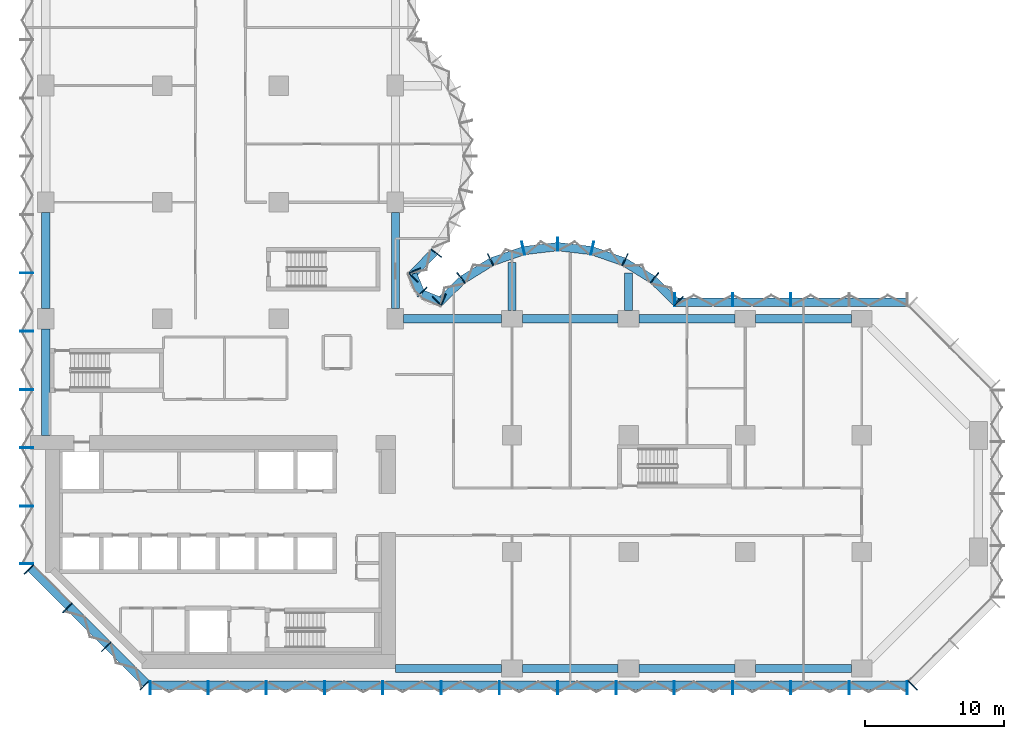
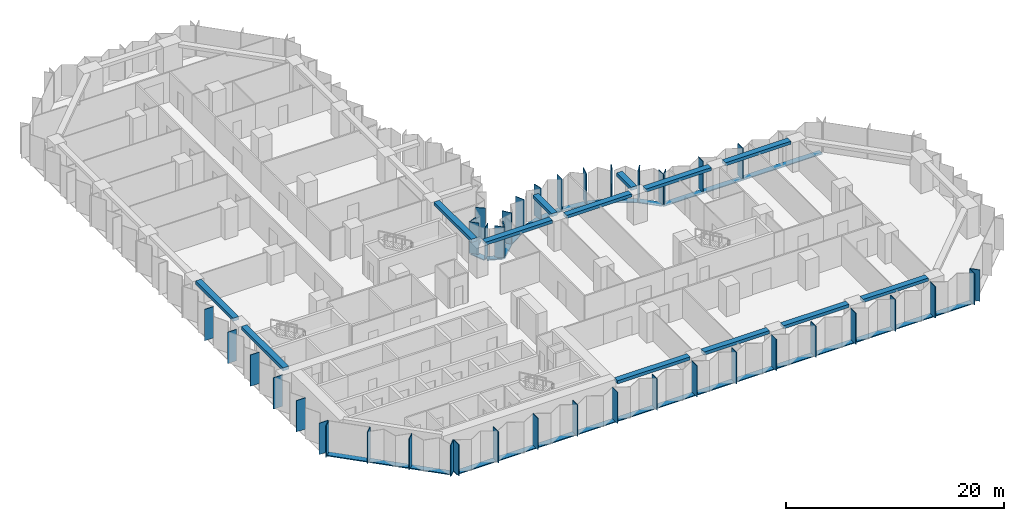
# One storey, part 2 of 15: 56 members, 13 beams, 8 elements without a shape of their own.
"""IFC4 building model written with IfcOpenShell, lengths in metres."""

from ifc_helpers import new_model, si_unit, direction, frame, origin, origin_2d, place, context, subcontext, project, spatial, rectangle, extrude, material, material_profile, profile_set, type_object, element, aggregate, save


model = new_model("IFC4")

# Units and contexts
model_context = context("Model", 3, precision=1e-05, world=origin(), true_north=direction((0.0, 1.0)))
body_context = subcontext(model_context, "Body", "Model", "MODEL_VIEW")
ifc_project = project(units=[si_unit("LENGTHUNIT", "METRE"), si_unit("AREAUNIT", "SQUARE_METRE"), si_unit("VOLUMEUNIT", "CUBIC_METRE"), si_unit("PLANEANGLEUNIT", "RADIAN"), si_unit("MASSUNIT", "GRAM", prefix="KILO")], contexts=[model_context])

# Site, building, storey
site_placement = place(None, origin())
site = spatial("IfcSite", under=ifc_project, at=site_placement, CompositionType="ELEMENT")
building_placement = place(site_placement, origin())
building = spatial("IfcBuilding", under=site, at=building_placement, Name="Brevane Broadcast Tower", CompositionType="ELEMENT")
storey_placement = place(building_placement, frame((0.0, 0.0, 68.89990234375)))
storey = spatial("IfcBuildingStorey", under=building, at=storey_placement, Name="L15", CompositionType="ELEMENT", Elevation=68.89990234375)

# Curtain wall, members
ifc_material_1 = material(Name="Aluminium 6063-T6 bronze anodised", Category="aluminium")
curtain_wall_type = type_object("IfcCurtainWallType", Name="CW-1 curtain wall", PredefinedType="NOTDEFINED", material=ifc_material_1)
curtain_wall_1_placement = place(storey_placement, origin())
curtain_wall_1 = element("IfcCurtainWall", 1, at=curtain_wall_1_placement, inside=storey, type_object=curtain_wall_type, Name="CW-1 typical tilted unit L15 south face", PredefinedType="NOTDEFINED")
ifc_material_profile_1 = material_profile(ifc_material_1, rectangle(XDim=0.949951171875, YDim=0.070068359375, at=origin_2d()), Name="RECT 70x950")
ifc_profile_set_1 = profile_set([ifc_material_profile_1], Name="Aluminium 6063-T6 bronze anodised")
member_type_1 = type_object("IfcMemberType", Name="CW-1 mullion 70x950", PredefinedType="MULLION", material=ifc_profile_set_1)
member_1_placement = place(storey_placement, frame((7.534912109375, -1.375, -0.14990234375), z_axis=(0.0, 0.0, 1.0), x_axis=(0.0, 1.0, 0.0)))
member_1 = element("IfcMember", 2, at=member_1_placement, type_object=member_type_1, Name="CW-1 mullion", PredefinedType="MULLION", context=body_context, shape_type="SweptSolid", body=[
    extrude(rectangle(XDim=0.949951171875, YDim=0.070068359375, at=origin_2d()), origin(), (0.0, 0.0, 1.0), 3.5),
])
member_2_placement = place(storey_placement, frame((11.699951171875, -1.375, -0.14990234375), z_axis=(0.0, 0.0, 1.0), x_axis=(0.0, 1.0, 0.0)))
member_2 = element("IfcMember", 3, at=member_2_placement, type_object=member_type_1, Name="CW-1 mullion", PredefinedType="MULLION", context=body_context, shape_type="SweptSolid", body=[
    extrude(rectangle(XDim=0.949951171875, YDim=0.070068359375, at=origin_2d()), origin(), (0.0, 0.0, 1.0), 3.5),
])
member_3_placement = place(storey_placement, frame((15.89990234375, -1.375, -0.14990234375), z_axis=(0.0, 0.0, 1.0), x_axis=(0.0, 1.0, 0.0)))
member_3 = element("IfcMember", 4, at=member_3_placement, type_object=member_type_1, Name="CW-1 mullion", PredefinedType="MULLION", context=body_context, shape_type="SweptSolid", body=[
    extrude(rectangle(XDim=0.949951171875, YDim=0.070068359375, at=origin_2d()), origin(), (0.0, 0.0, 1.0), 3.5),
])
member_4_placement = place(storey_placement, frame((20.10009765625, -1.375, -0.14990234375), z_axis=(0.0, 0.0, 1.0), x_axis=(0.0, 1.0, 0.0)))
member_4 = element("IfcMember", 5, at=member_4_placement, type_object=member_type_1, Name="CW-1 mullion", PredefinedType="MULLION", context=body_context, shape_type="SweptSolid", body=[
    extrude(rectangle(XDim=0.949951171875, YDim=0.070068359375, at=origin_2d()), origin(), (0.0, 0.0, 1.0), 3.5),
])
member_5_placement = place(storey_placement, frame((24.300048828125, -1.375, -0.14990234375), z_axis=(0.0, 0.0, 1.0), x_axis=(0.0, 1.0, 0.0)))
member_5 = element("IfcMember", 6, at=member_5_placement, type_object=member_type_1, Name="CW-1 mullion", PredefinedType="MULLION", context=body_context, shape_type="SweptSolid", body=[
    extrude(rectangle(XDim=0.949951171875, YDim=0.070068359375, at=origin_2d()), origin(), (0.0, 0.0, 1.0), 3.5),
])
member_6_placement = place(storey_placement, frame((28.5, -1.375, -0.14990234375), z_axis=(0.0, 0.0, 1.0), x_axis=(0.0, 1.0, 0.0)))
member_6 = element("IfcMember", 7, at=member_6_placement, type_object=member_type_1, Name="CW-1 mullion", PredefinedType="MULLION", context=body_context, shape_type="SweptSolid", body=[
    extrude(rectangle(XDim=0.949951171875, YDim=0.070068359375, at=origin_2d()), origin(), (0.0, 0.0, 1.0), 3.5),
])
member_7_placement = place(storey_placement, frame((32.699951171875, -1.375, -0.14990234375), z_axis=(0.0, 0.0, 1.0), x_axis=(0.0, 1.0, 0.0)))
member_7 = element("IfcMember", 8, at=member_7_placement, type_object=member_type_1, Name="CW-1 mullion", PredefinedType="MULLION", context=body_context, shape_type="SweptSolid", body=[
    extrude(rectangle(XDim=0.949951171875, YDim=0.070068359375, at=origin_2d()), origin(), (0.0, 0.0, 1.0), 3.5),
])
member_8_placement = place(storey_placement, frame((36.89990234375, -1.375, -0.14990234375), z_axis=(0.0, 0.0, 1.0), x_axis=(0.0, 1.0, 0.0)))
member_8 = element("IfcMember", 9, at=member_8_placement, type_object=member_type_1, Name="CW-1 mullion", PredefinedType="MULLION", context=body_context, shape_type="SweptSolid", body=[
    extrude(rectangle(XDim=0.949951171875, YDim=0.070068359375, at=origin_2d()), origin(), (0.0, 0.0, 1.0), 3.5),
])
member_9_placement = place(storey_placement, frame((41.10009765625, -1.375, -0.14990234375), z_axis=(0.0, 0.0, 1.0), x_axis=(0.0, 1.0, 0.0)))
member_9 = element("IfcMember", 10, at=member_9_placement, type_object=member_type_1, Name="CW-1 mullion", PredefinedType="MULLION", context=body_context, shape_type="SweptSolid", body=[
    extrude(rectangle(XDim=0.949951171875, YDim=0.070068359375, at=origin_2d()), origin(), (0.0, 0.0, 1.0), 3.5),
])
member_10_placement = place(storey_placement, frame((45.300048828125, -1.375, -0.14990234375), z_axis=(0.0, 0.0, 1.0), x_axis=(0.0, 1.0, 0.0)))
member_10 = element("IfcMember", 11, at=member_10_placement, type_object=member_type_1, Name="CW-1 mullion", PredefinedType="MULLION", context=body_context, shape_type="SweptSolid", body=[
    extrude(rectangle(XDim=0.949951171875, YDim=0.070068359375, at=origin_2d()), origin(), (0.0, 0.0, 1.0), 3.5),
])
member_11_placement = place(storey_placement, frame((49.5, -1.375, -0.14990234375), z_axis=(0.0, 0.0, 1.0), x_axis=(0.0, 1.0, 0.0)))
member_11 = element("IfcMember", 12, at=member_11_placement, type_object=member_type_1, Name="CW-1 mullion", PredefinedType="MULLION", context=body_context, shape_type="SweptSolid", body=[
    extrude(rectangle(XDim=0.949951171875, YDim=0.070068359375, at=origin_2d()), origin(), (0.0, 0.0, 1.0), 3.5),
])
member_12_placement = place(storey_placement, frame((53.699951171875, -1.375, -0.14990234375), z_axis=(0.0, 0.0, 1.0), x_axis=(0.0, 1.0, 0.0)))
member_12 = element("IfcMember", 13, at=member_12_placement, type_object=member_type_1, Name="CW-1 mullion", PredefinedType="MULLION", context=body_context, shape_type="SweptSolid", body=[
    extrude(rectangle(XDim=0.949951171875, YDim=0.070068359375, at=origin_2d()), origin(), (0.0, 0.0, 1.0), 3.5),
])
member_13_placement = place(storey_placement, frame((57.89990234375, -1.375, -0.14990234375), z_axis=(0.0, 0.0, 1.0), x_axis=(0.0, 1.0, 0.0)))
member_13 = element("IfcMember", 14, at=member_13_placement, type_object=member_type_1, Name="CW-1 mullion", PredefinedType="MULLION", context=body_context, shape_type="SweptSolid", body=[
    extrude(rectangle(XDim=0.949951171875, YDim=0.070068359375, at=origin_2d()), origin(), (0.0, 0.0, 1.0), 3.5),
])
member_14_placement = place(storey_placement, frame((62.06494140625, -1.375, -0.14990234375), z_axis=(0.0, 0.0, 1.0), x_axis=(0.0, 1.0, 0.0)))
member_14 = element("IfcMember", 15, at=member_14_placement, type_object=member_type_1, Name="CW-1 mullion", PredefinedType="MULLION", context=body_context, shape_type="SweptSolid", body=[
    extrude(rectangle(XDim=0.949951171875, YDim=0.070068359375, at=origin_2d()), origin(), (0.0, 0.0, 1.0), 3.5),
])

# Curtain wall, member
curtain_wall_2_placement = place(storey_placement, origin())
curtain_wall_2 = element("IfcCurtainWall", 16, at=curtain_wall_2_placement, inside=storey, type_object=curtain_wall_type, Name="CW-1 typical tilted unit L15 south-east chamfer", PredefinedType="NOTDEFINED")
member_15_placement = place(storey_placement, frame((62.460693359375, -1.211181640625, -0.14990234375), z_axis=(0.0, 0.0, 1.0), x_axis=(-0.707106781187, 0.707106781187, 0.0)))
member_15 = element("IfcMember", 17, at=member_15_placement, type_object=member_type_1, Name="CW-1 mullion", PredefinedType="MULLION", context=body_context, shape_type="SweptSolid", body=[
    extrude(rectangle(XDim=0.949951171875, YDim=0.070068359375, at=origin_2d()), origin(), (0.0, 0.0, 1.0), 3.5),
])
aggregate(curtain_wall_2, [member_15])

# Curtain wall, members
curtain_wall_3_placement = place(storey_placement, origin())
curtain_wall_3 = element("IfcCurtainWall", 18, at=curtain_wall_3_placement, inside=storey, type_object=curtain_wall_type, Name="CW-1 typical tilted unit L15 east arm north face", PredefinedType="NOTDEFINED")
member_16_placement = place(storey_placement, frame((53.699951171875, 26.574951171875, -0.14990234375), z_axis=(0.0, 0.0, 1.0), x_axis=(0.0, -1.0, 0.0)))
member_16 = element("IfcMember", 19, at=member_16_placement, type_object=member_type_1, Name="CW-1 mullion", PredefinedType="MULLION", context=body_context, shape_type="SweptSolid", body=[
    extrude(rectangle(XDim=0.949951171875, YDim=0.070068359375, at=origin_2d()), origin(), (0.0, 0.0, 1.0), 3.5),
])
member_17_placement = place(storey_placement, frame((49.5, 26.574951171875, -0.14990234375), z_axis=(0.0, 0.0, 1.0), x_axis=(0.0, -1.0, 0.0)))
member_17 = element("IfcMember", 20, at=member_17_placement, type_object=member_type_1, Name="CW-1 mullion", PredefinedType="MULLION", context=body_context, shape_type="SweptSolid", body=[
    extrude(rectangle(XDim=0.949951171875, YDim=0.070068359375, at=origin_2d()), origin(), (0.0, 0.0, 1.0), 3.5),
])
member_18_placement = place(storey_placement, frame((45.3349609375, 26.574951171875, -0.14990234375), z_axis=(0.0, 0.0, 1.0), x_axis=(0.0, -1.0, 0.0)))
member_18 = element("IfcMember", 21, at=member_18_placement, type_object=member_type_1, Name="CW-1 mullion", PredefinedType="MULLION", context=body_context, shape_type="SweptSolid", body=[
    extrude(rectangle(XDim=0.949951171875, YDim=0.070068359375, at=origin_2d()), origin(), (0.0, 0.0, 1.0), 3.5),
])

curtain_wall_4_placement = place(storey_placement, origin())
curtain_wall_4 = element("IfcCurtainWall", 22, at=curtain_wall_4_placement, inside=storey, type_object=curtain_wall_type, Name="CW-1 typical tilted unit L15 east bow", PredefinedType="NOTDEFINED")
member_19_placement = place(storey_placement, frame((45.60595703125, 26.465087890625, -0.14990234375), z_axis=(0.0, 0.0, 1.0), x_axis=(-0.696811941702, -0.717253872699, 0.0)))
member_19 = element("IfcMember", 23, at=member_19_placement, type_object=member_type_1, Name="CW-1 mullion", PredefinedType="MULLION", context=body_context, shape_type="SweptSolid", body=[
    extrude(rectangle(XDim=0.949951171875, YDim=0.070068359375, at=origin_2d()), origin(), (0.0, 0.0, 1.0), 3.5),
])
member_20_placement = place(storey_placement, frame((43.8720703125, 28.1455078125, -0.14990234375), z_axis=(0.0, 0.0, 1.0), x_axis=(-0.614769738617, -0.788706642853, 0.0)))
member_20 = element("IfcMember", 24, at=member_20_placement, type_object=member_type_1, Name="CW-1 mullion", PredefinedType="MULLION", context=body_context, shape_type="SweptSolid", body=[
    extrude(rectangle(XDim=0.949951171875, YDim=0.070068359375, at=origin_2d()), origin(), (0.0, 0.0, 1.0), 3.5),
])
member_21_placement = place(storey_placement, frame((41.746826171875, 29.4580078125, -0.14990234375), z_axis=(0.0, 0.0, 1.0), x_axis=(-0.429933601163, -0.902860508933, 0.0)))
member_21 = element("IfcMember", 25, at=member_21_placement, type_object=member_type_1, Name="CW-1 mullion", PredefinedType="MULLION", context=body_context, shape_type="SweptSolid", body=[
    extrude(rectangle(XDim=0.949951171875, YDim=0.070068359375, at=origin_2d()), origin(), (0.0, 0.0, 1.0), 3.5),
])
member_22_placement = place(storey_placement, frame((39.38818359375, 30.28076171875, -0.14990234375), z_axis=(0.0, 0.0, 1.0), x_axis=(-0.224806482215, -0.974403430594, 0.0)))
member_22 = element("IfcMember", 26, at=member_22_placement, type_object=member_type_1, Name="CW-1 mullion", PredefinedType="MULLION", context=body_context, shape_type="SweptSolid", body=[
    extrude(rectangle(XDim=0.949951171875, YDim=0.070068359375, at=origin_2d()), origin(), (0.0, 0.0, 1.0), 3.5),
])
member_23_placement = place(storey_placement, frame((36.89990234375, 30.574951171875, -0.14990234375), z_axis=(0.0, 0.0, 1.0), x_axis=(0.0, -1.0, 0.0)))
member_23 = element("IfcMember", 27, at=member_23_placement, type_object=member_type_1, Name="CW-1 mullion", PredefinedType="MULLION", context=body_context, shape_type="SweptSolid", body=[
    extrude(rectangle(XDim=0.949951171875, YDim=0.070068359375, at=origin_2d()), origin(), (0.0, 0.0, 1.0), 3.5),
])
member_24_placement = place(storey_placement, frame((34.411865234375, 30.28076171875, -0.14990234375), z_axis=(0.0, 0.0, 1.0), x_axis=(0.224806482215, -0.974403430594, 0.0)))
member_24 = element("IfcMember", 28, at=member_24_placement, type_object=member_type_1, Name="CW-1 mullion", PredefinedType="MULLION", context=body_context, shape_type="SweptSolid", body=[
    extrude(rectangle(XDim=0.949951171875, YDim=0.070068359375, at=origin_2d()), origin(), (0.0, 0.0, 1.0), 3.5),
])
member_25_placement = place(storey_placement, frame((32.05322265625, 29.4580078125, -0.14990234375), z_axis=(0.0, 0.0, 1.0), x_axis=(0.429933601163, -0.902860508933, 0.0)))
member_25 = element("IfcMember", 29, at=member_25_placement, type_object=member_type_1, Name="CW-1 mullion", PredefinedType="MULLION", context=body_context, shape_type="SweptSolid", body=[
    extrude(rectangle(XDim=0.949951171875, YDim=0.070068359375, at=origin_2d()), origin(), (0.0, 0.0, 1.0), 3.5),
])
member_26_placement = place(storey_placement, frame((29.927978515625, 28.1455078125, -0.14990234375), z_axis=(0.0, 0.0, 1.0), x_axis=(0.614769738617, -0.788706642853, 0.0)))
member_26 = element("IfcMember", 30, at=member_26_placement, type_object=member_type_1, Name="CW-1 mullion", PredefinedType="MULLION", context=body_context, shape_type="SweptSolid", body=[
    extrude(rectangle(XDim=0.949951171875, YDim=0.070068359375, at=origin_2d()), origin(), (0.0, 0.0, 1.0), 3.5),
])
member_27_placement = place(storey_placement, frame((28.194091796875, 26.465087890625, -0.14990234375), z_axis=(0.0, 0.0, 1.0), x_axis=(0.696811941702, -0.717253872699, 0.0)))
member_27 = element("IfcMember", 31, at=member_27_placement, type_object=member_type_1, Name="CW-1 mullion", PredefinedType="MULLION", context=body_context, shape_type="SweptSolid", body=[
    extrude(rectangle(XDim=0.949951171875, YDim=0.070068359375, at=origin_2d()), origin(), (0.0, 0.0, 1.0), 3.5),
])

curtain_wall_5_placement = place(storey_placement, origin())
curtain_wall_5 = element("IfcCurtainWall", 32, at=curtain_wall_5_placement, inside=storey, type_object=curtain_wall_type, Name="CW-1 typical tilted unit L15 inner corner", PredefinedType="NOTDEFINED")
member_28_placement = place(storey_placement, frame((28.6494140625, 26.55224609375, -0.14990234375), z_axis=(0.0, 0.0, 1.0), x_axis=(-0.382683612978, -0.923879457699, 0.0)))
member_28 = element("IfcMember", 33, at=member_28_placement, type_object=member_type_1, Name="CW-1 mullion", PredefinedType="MULLION", context=body_context, shape_type="SweptSolid", body=[
    extrude(rectangle(XDim=0.949951171875, YDim=0.070068359375, at=origin_2d()), origin(), (0.0, 0.0, 1.0), 3.5),
])
member_29_placement = place(storey_placement, frame((27.138916015625, 27.138916015625, -0.14990234375), z_axis=(0.0, 0.0, 1.0), x_axis=(-0.707106781187, -0.707106781187, 0.0)))
member_29 = element("IfcMember", 34, at=member_29_placement, type_object=member_type_1, Name="CW-1 mullion", PredefinedType="MULLION", context=body_context, shape_type="SweptSolid", body=[
    extrude(rectangle(XDim=0.949951171875, YDim=0.070068359375, at=origin_2d()), origin(), (0.0, 0.0, 1.0), 3.5),
])
member_30_placement = place(storey_placement, frame((26.55224609375, 28.6494140625, -0.14990234375), z_axis=(0.0, 0.0, 1.0), x_axis=(-0.923879457699, -0.382683612978, 0.0)))
member_30 = element("IfcMember", 35, at=member_30_placement, type_object=member_type_1, Name="CW-1 mullion", PredefinedType="MULLION", context=body_context, shape_type="SweptSolid", body=[
    extrude(rectangle(XDim=0.949951171875, YDim=0.070068359375, at=origin_2d()), origin(), (0.0, 0.0, 1.0), 3.5),
])

curtain_wall_6_placement = place(storey_placement, origin())
curtain_wall_6 = element("IfcCurtainWall", 36, at=curtain_wall_6_placement, inside=storey, type_object=curtain_wall_type, Name="CW-1 typical tilted unit L15 north bow", PredefinedType="NOTDEFINED")
member_31_placement = place(storey_placement, frame((26.465087890625, 28.194091796875, -0.14990234375), z_axis=(0.0, 0.0, 1.0), x_axis=(-0.717253872699, 0.696811941702, 0.0)))
member_31 = element("IfcMember", 37, at=member_31_placement, type_object=member_type_1, Name="CW-1 mullion", PredefinedType="MULLION", context=body_context, shape_type="SweptSolid", body=[
    extrude(rectangle(XDim=0.949951171875, YDim=0.070068359375, at=origin_2d()), origin(), (0.0, 0.0, 1.0), 3.5),
])
member_32_placement = place(storey_placement, frame((28.1455078125, 29.927978515625, -0.14990234375), z_axis=(0.0, 0.0, 1.0), x_axis=(-0.788706642853, 0.614769738617, 0.0)))
member_32 = element("IfcMember", 38, at=member_32_placement, type_object=member_type_1, Name="CW-1 mullion", PredefinedType="MULLION", context=body_context, shape_type="SweptSolid", body=[
    extrude(rectangle(XDim=0.949951171875, YDim=0.070068359375, at=origin_2d()), origin(), (0.0, 0.0, 1.0), 3.5),
])

curtain_wall_7_placement = place(storey_placement, origin())
curtain_wall_7 = element("IfcCurtainWall", 39, at=curtain_wall_7_placement, inside=storey, type_object=curtain_wall_type, Name="CW-1 typical tilted unit L15 west face", PredefinedType="NOTDEFINED")
member_33_placement = place(storey_placement, frame((-1.375, 28.5, -0.14990234375), z_axis=(0.0, 0.0, 1.0), x_axis=(1.0, 0.0, 0.0)))
member_33 = element("IfcMember", 40, at=member_33_placement, type_object=member_type_1, Name="CW-1 mullion", PredefinedType="MULLION", context=body_context, shape_type="SweptSolid", body=[
    extrude(rectangle(XDim=0.949951171875, YDim=0.070068359375, at=origin_2d()), origin(), (0.0, 0.0, 1.0), 3.5),
])
member_34_placement = place(storey_placement, frame((-1.375, 24.300048828125, -0.14990234375), z_axis=(0.0, 0.0, 1.0), x_axis=(1.0, 0.0, 0.0)))
member_34 = element("IfcMember", 41, at=member_34_placement, type_object=member_type_1, Name="CW-1 mullion", PredefinedType="MULLION", context=body_context, shape_type="SweptSolid", body=[
    extrude(rectangle(XDim=0.949951171875, YDim=0.070068359375, at=origin_2d()), origin(), (0.0, 0.0, 1.0), 3.5),
])
member_35_placement = place(storey_placement, frame((-1.375, 20.10009765625, -0.14990234375), z_axis=(0.0, 0.0, 1.0), x_axis=(1.0, 0.0, 0.0)))
member_35 = element("IfcMember", 42, at=member_35_placement, type_object=member_type_1, Name="CW-1 mullion", PredefinedType="MULLION", context=body_context, shape_type="SweptSolid", body=[
    extrude(rectangle(XDim=0.949951171875, YDim=0.070068359375, at=origin_2d()), origin(), (0.0, 0.0, 1.0), 3.5),
])
member_36_placement = place(storey_placement, frame((-1.375, 15.89990234375, -0.14990234375), z_axis=(0.0, 0.0, 1.0), x_axis=(1.0, 0.0, 0.0)))
member_36 = element("IfcMember", 43, at=member_36_placement, type_object=member_type_1, Name="CW-1 mullion", PredefinedType="MULLION", context=body_context, shape_type="SweptSolid", body=[
    extrude(rectangle(XDim=0.949951171875, YDim=0.070068359375, at=origin_2d()), origin(), (0.0, 0.0, 1.0), 3.5),
])
member_37_placement = place(storey_placement, frame((-1.375, 11.699951171875, -0.14990234375), z_axis=(0.0, 0.0, 1.0), x_axis=(1.0, 0.0, 0.0)))
member_37 = element("IfcMember", 44, at=member_37_placement, type_object=member_type_1, Name="CW-1 mullion", PredefinedType="MULLION", context=body_context, shape_type="SweptSolid", body=[
    extrude(rectangle(XDim=0.949951171875, YDim=0.070068359375, at=origin_2d()), origin(), (0.0, 0.0, 1.0), 3.5),
])
member_38_placement = place(storey_placement, frame((-1.375, 7.534912109375, -0.14990234375), z_axis=(0.0, 0.0, 1.0), x_axis=(1.0, 0.0, 0.0)))
member_38 = element("IfcMember", 45, at=member_38_placement, type_object=member_type_1, Name="CW-1 mullion", PredefinedType="MULLION", context=body_context, shape_type="SweptSolid", body=[
    extrude(rectangle(XDim=0.949951171875, YDim=0.070068359375, at=origin_2d()), origin(), (0.0, 0.0, 1.0), 3.5),
])
aggregate(curtain_wall_7, [member_33, member_34, member_35, member_36, member_37, member_38])

curtain_wall_8_placement = place(storey_placement, origin())
curtain_wall_8 = element("IfcCurtainWall", 46, at=curtain_wall_8_placement, inside=storey, type_object=curtain_wall_type, Name="CW-1 typical tilted unit L15 south-west chamfer", PredefinedType="NOTDEFINED")
member_39_placement = place(storey_placement, frame((-1.211181640625, 7.139404296875, -0.14990234375), z_axis=(0.0, 0.0, 1.0), x_axis=(0.707106781187, 0.707106781187, 0.0)))
member_39 = element("IfcMember", 47, at=member_39_placement, type_object=member_type_1, Name="CW-1 mullion", PredefinedType="MULLION", context=body_context, shape_type="SweptSolid", body=[
    extrude(rectangle(XDim=0.949951171875, YDim=0.070068359375, at=origin_2d()), origin(), (0.0, 0.0, 1.0), 3.5),
])
member_40_placement = place(storey_placement, frame((1.564208984375, 4.364013671875, -0.14990234375), z_axis=(0.0, 0.0, 1.0), x_axis=(0.707106781187, 0.707106781187, 0.0)))
member_40 = element("IfcMember", 48, at=member_40_placement, type_object=member_type_1, Name="CW-1 mullion", PredefinedType="MULLION", context=body_context, shape_type="SweptSolid", body=[
    extrude(rectangle(XDim=0.949951171875, YDim=0.070068359375, at=origin_2d()), origin(), (0.0, 0.0, 1.0), 3.5),
])
member_41_placement = place(storey_placement, frame((4.364013671875, 1.564208984375, -0.14990234375), z_axis=(0.0, 0.0, 1.0), x_axis=(0.707106781187, 0.707106781187, 0.0)))
member_41 = element("IfcMember", 49, at=member_41_placement, type_object=member_type_1, Name="CW-1 mullion", PredefinedType="MULLION", context=body_context, shape_type="SweptSolid", body=[
    extrude(rectangle(XDim=0.949951171875, YDim=0.070068359375, at=origin_2d()), origin(), (0.0, 0.0, 1.0), 3.5),
])
member_42_placement = place(storey_placement, frame((7.139404296875, -1.211181640625, -0.14990234375), z_axis=(0.0, 0.0, 1.0), x_axis=(0.707106781187, 0.707106781187, 0.0)))
member_42 = element("IfcMember", 50, at=member_42_placement, type_object=member_type_1, Name="CW-1 mullion", PredefinedType="MULLION", context=body_context, shape_type="SweptSolid", body=[
    extrude(rectangle(XDim=0.949951171875, YDim=0.070068359375, at=origin_2d()), origin(), (0.0, 0.0, 1.0), 3.5),
])

# Member
ifc_material_profile_2 = material_profile(ifc_material_1, rectangle(XDim=0.60009765625, YDim=0.10009765625, at=origin_2d()), Name="RECT 100x600")
ifc_profile_set_2 = profile_set([ifc_material_profile_2], Name="Aluminium 6063-T6 bronze anodised")
member_type_2 = type_object("IfcMemberType", Name="CW-1 transom 100x600", PredefinedType="USERDEFINED", material=ifc_profile_set_2)
member_43_placement = place(storey_placement, frame((7.5, -1.199951171875, -0.199951171875), z_axis=(1.0, 0.0, 0.0), x_axis=(0.0, 1.0, 0.0)))
member_43 = element("IfcMember", 51, at=member_43_placement, type_object=member_type_2, Name="CW-1 transom", ObjectType="TRANSOM", PredefinedType="USERDEFINED", context=body_context, shape_type="SweptSolid", body=[
    extrude(rectangle(XDim=0.60009765625, YDim=0.10009765625, at=origin_2d()), origin(), (0.0, 0.0, 1.0), 54.60009765625),
])

aggregate(curtain_wall_1, [member_1, member_2, member_3, member_4, member_5, member_6, member_7, member_8, member_9, member_10, member_11, member_12, member_13, member_14, member_43])

member_44_placement = place(storey_placement, frame((62.10009765625, 26.39990234375, -0.199951171875), z_axis=(-1.0, 0.0, 0.0), x_axis=(0.0, -1.0, 0.0)))
member_44 = element("IfcMember", 52, at=member_44_placement, type_object=member_type_2, Name="CW-1 transom", ObjectType="TRANSOM", PredefinedType="USERDEFINED", context=body_context, shape_type="SweptSolid", body=[
    extrude(rectangle(XDim=0.60009765625, YDim=0.10009765625, at=origin_2d()), origin(), (0.0, 0.0, 1.0), 16.800048828125),
])

aggregate(curtain_wall_3, [member_16, member_17, member_18, member_44])

member_45_placement = place(storey_placement, frame((45.412841796875, 26.407958984375, -0.199951171875), z_axis=(-0.71724215871, 0.696823999134, 0.0), x_axis=(-0.696823999134, -0.71724215871, 0.0)))
member_45 = element("IfcMember", 53, at=member_45_placement, type_object=member_type_2, Name="CW-1 transom", ObjectType="TRANSOM", PredefinedType="USERDEFINED", context=body_context, shape_type="SweptSolid", body=[
    extrude(rectangle(XDim=0.60009765625, YDim=0.10009765625, at=origin_2d()), origin(), (0.0, 0.0, 1.0), 2.247802734375),
])

member_46_placement = place(storey_placement, frame((43.7421875, 28.023193359375, -0.199951171875), z_axis=(-0.850810063131, 0.525473345162, 0.0), x_axis=(-0.525473345162, -0.850810063131, 0.0)))
member_46 = element("IfcMember", 54, at=member_46_placement, type_object=member_type_2, Name="CW-1 transom", ObjectType="TRANSOM", PredefinedType="USERDEFINED", context=body_context, shape_type="SweptSolid", body=[
    extrude(rectangle(XDim=0.60009765625, YDim=0.10009765625, at=origin_2d()), origin(), (0.0, 0.0, 1.0), 2.39453125),
])

member_47_placement = place(storey_placement, frame((41.63623046875, 29.314208984375, -0.199951171875), z_axis=(-0.944197969542, 0.329378497041, 0.0), x_axis=(-0.329378497041, -0.944197969542, 0.0)))
member_47 = element("IfcMember", 55, at=member_47_placement, type_object=member_type_2, Name="CW-1 transom", ObjectType="TRANSOM", PredefinedType="USERDEFINED", context=body_context, shape_type="SweptSolid", body=[
    extrude(rectangle(XDim=0.60009765625, YDim=0.10009765625, at=origin_2d()), origin(), (0.0, 0.0, 1.0), 2.394775390625),
])

member_48_placement = place(storey_placement, frame((39.30029296875, 30.117431640625, -0.199951171875), z_axis=(-0.993062061831, 0.117591417, 0.0), x_axis=(-0.117591417, -0.993062061831, 0.0)))
member_48 = element("IfcMember", 56, at=member_48_placement, type_object=member_type_2, Name="CW-1 transom", ObjectType="TRANSOM", PredefinedType="USERDEFINED", context=body_context, shape_type="SweptSolid", body=[
    extrude(rectangle(XDim=0.60009765625, YDim=0.10009765625, at=origin_2d()), origin(), (0.0, 0.0, 1.0), 2.39794921875),
])

member_49_placement = place(storey_placement, frame((36.880859375, 30.3994140625, -0.199951171875), z_axis=(-0.993060653805, -0.117603307202, 0.0), x_axis=(0.117603307202, -0.993060653805, 0.0)))
member_49 = element("IfcMember", 57, at=member_49_placement, type_object=member_type_2, Name="CW-1 transom", ObjectType="TRANSOM", PredefinedType="USERDEFINED", context=body_context, shape_type="SweptSolid", body=[
    extrude(rectangle(XDim=0.60009765625, YDim=0.10009765625, at=origin_2d()), origin(), (0.0, 0.0, 1.0), 2.397705078125),
])

member_50_placement = place(storey_placement, frame((34.425048828125, 30.10302734375, -0.199951171875), z_axis=(-0.944197969542, -0.329378497041, 0.0), x_axis=(0.329378497041, -0.944197969542, 0.0)))
member_50 = element("IfcMember", 58, at=member_50_placement, type_object=member_type_2, Name="CW-1 transom", ObjectType="TRANSOM", PredefinedType="USERDEFINED", context=body_context, shape_type="SweptSolid", body=[
    extrude(rectangle(XDim=0.60009765625, YDim=0.10009765625, at=origin_2d()), origin(), (0.0, 0.0, 1.0), 2.394775390625),
])

member_51_placement = place(storey_placement, frame((32.09521484375, 29.281494140625, -0.199951171875), z_axis=(-0.850838211365, -0.525427766759, 0.0), x_axis=(0.525427766759, -0.850838211365, 0.0)))
member_51 = element("IfcMember", 59, at=member_51_placement, type_object=member_type_2, Name="CW-1 transom", ObjectType="TRANSOM", PredefinedType="USERDEFINED", context=body_context, shape_type="SweptSolid", body=[
    extrude(rectangle(XDim=0.60009765625, YDim=0.10009765625, at=origin_2d()), origin(), (0.0, 0.0, 1.0), 2.394775390625),
])

member_52_placement = place(storey_placement, frame((29.99951171875, 27.974365234375, -0.199951171875), z_axis=(-0.71724215871, -0.696823999134, 0.0), x_axis=(0.696823999134, -0.71724215871, 0.0)))
member_52 = element("IfcMember", 60, at=member_52_placement, type_object=member_type_2, Name="CW-1 transom", ObjectType="TRANSOM", PredefinedType="USERDEFINED", context=body_context, shape_type="SweptSolid", body=[
    extrude(rectangle(XDim=0.60009765625, YDim=0.10009765625, at=origin_2d()), origin(), (0.0, 0.0, 1.0), 2.247802734375),
])

aggregate(curtain_wall_4, [member_19, member_20, member_21, member_22, member_23, member_24, member_25, member_26, member_27, member_45, member_46, member_47, member_48, member_49, member_50, member_51, member_52])

member_53_placement = place(storey_placement, frame((28.528076171875, 26.40673828125, -0.199951171875), z_axis=(-0.923883243627, 0.382674472816, 0.0), x_axis=(-0.382674472816, -0.923883243627, 0.0)))
member_53 = element("IfcMember", 61, at=member_53_placement, type_object=member_type_2, Name="CW-1 transom", ObjectType="TRANSOM", PredefinedType="USERDEFINED", context=body_context, shape_type="SweptSolid", body=[
    extrude(rectangle(XDim=0.60009765625, YDim=0.10009765625, at=origin_2d()), origin(), (0.0, 0.0, 1.0), 1.536865234375),
])

member_54_placement = place(storey_placement, frame((27.039794921875, 27.0, -0.199951171875), z_axis=(-0.382674472816, 0.923883243627, 0.0), x_axis=(-0.923883243627, -0.382674472816, 0.0)))
member_54 = element("IfcMember", 62, at=member_54_placement, type_object=member_type_2, Name="CW-1 transom", ObjectType="TRANSOM", PredefinedType="USERDEFINED", context=body_context, shape_type="SweptSolid", body=[
    extrude(rectangle(XDim=0.60009765625, YDim=0.10009765625, at=origin_2d()), origin(), (0.0, 0.0, 1.0), 1.536865234375),
])

aggregate(curtain_wall_5, [member_28, member_29, member_30, member_53, member_54])

member_55_placement = place(storey_placement, frame((26.407958984375, 28.38720703125, -0.199951171875), z_axis=(0.696823999134, 0.71724215871, 0.0), x_axis=(-0.71724215871, 0.696823999134, 0.0)))
member_55 = element("IfcMember", 63, at=member_55_placement, type_object=member_type_2, Name="CW-1 transom", ObjectType="TRANSOM", PredefinedType="USERDEFINED", context=body_context, shape_type="SweptSolid", body=[
    extrude(rectangle(XDim=0.60009765625, YDim=0.10009765625, at=origin_2d()), origin(), (0.0, 0.0, 1.0), 2.247802734375),
])

aggregate(curtain_wall_6, [member_31, member_32, member_55])

member_56_placement = place(storey_placement, frame((-1.112060546875, 7.287841796875, -0.199951171875), z_axis=(0.707106781187, -0.707106781187, 0.0), x_axis=(0.707106781187, 0.707106781187, 0.0)))
member_56 = element("IfcMember", 64, at=member_56_placement, type_object=member_type_2, Name="CW-1 transom", ObjectType="TRANSOM", PredefinedType="USERDEFINED", context=body_context, shape_type="SweptSolid", body=[
    extrude(rectangle(XDim=0.60009765625, YDim=0.10009765625, at=origin_2d()), origin(), (0.0, 0.0, 1.0), 11.879150390625),
])

aggregate(curtain_wall_8, [member_39, member_40, member_41, member_42, member_56])

# Beams
ifc_material_2 = material(Name="Concrete C40/50", Category="concrete")
ifc_material_profile_3 = material_profile(ifc_material_2, rectangle(XDim=0.60009765625, YDim=0.35009765625, at=origin_2d()), Name="RC 600x350")
ifc_profile_set_3 = profile_set([ifc_material_profile_3], Name="Concrete C40/50")
beam_type_1 = type_object("IfcBeamType", Name="RC BRACKET BEAM 600x350 C40/50", PredefinedType="BEAM", material=ifc_profile_set_3)
beam_1_placement = place(storey_placement, frame((33.60009765625, 25.800048828125, 3.175048828125), z_axis=(0.0, 1.0, 0.0), x_axis=(-1.0, 0.0, 0.0)))
element("IfcBeam", 65, at=beam_1_placement, inside=storey, type_object=beam_type_1, Name="EB2 L15-3", PredefinedType="BEAM", context=body_context, shape_type="SweptSolid", body=[
    extrude(rectangle(XDim=0.60009765625, YDim=0.35009765625, at=origin_2d()), origin(), (0.0, 0.0, 1.0), 3.4619140625),
])
beam_2_placement = place(storey_placement, frame((42.0, 25.800048828125, 3.175048828125), z_axis=(0.0, 1.0, 0.0), x_axis=(-1.0, 0.0, 0.0)))
element("IfcBeam", 66, at=beam_2_placement, inside=storey, type_object=beam_type_1, Name="EB2 L15-4", PredefinedType="BEAM", context=body_context, shape_type="SweptSolid", body=[
    extrude(rectangle(XDim=0.60009765625, YDim=0.35009765625, at=origin_2d()), origin(), (0.0, 0.0, 1.0), 2.71142578125),
])
ifc_material_profile_4 = material_profile(ifc_material_2, rectangle(XDim=0.60009765625, YDim=0.35009765625, at=origin_2d()), Name="RC 600x350")
ifc_profile_set_4 = profile_set([ifc_material_profile_4], Name="Concrete C40/50")
beam_type_2 = type_object("IfcBeamType", Name="RC SPANDREL BEAM 600x350 C40/50", PredefinedType="SPANDREL", material=ifc_profile_set_4)
beam_3_placement = place(storey_placement, frame((25.199951171875, 0.0, 3.175048828125), z_axis=(1.0, 0.0, 0.0), x_axis=(0.0, 1.0, 0.0)))
element("IfcBeam", 67, at=beam_3_placement, inside=storey, type_object=beam_type_2, Name="EB1 L15-1", PredefinedType="SPANDREL", context=body_context, shape_type="SweptSolid", body=[
    extrude(rectangle(XDim=0.60009765625, YDim=0.35009765625, at=origin_2d()), origin(), (0.0, 0.0, 1.0), 7.650146484375),
])
for number, where, z_axis, x_axis, name in (
    (68, (34.35009765625, 0.0, 3.175048828125), (1.0, 0.0, 0.0), (0.0, 1.0, 0.0), "EB1 L15-2"),
    (69, (42.75, 0.0, 3.175048828125), (1.0, 0.0, 0.0), (0.0, 1.0, 0.0), "EB1 L15-3"),
):
    element("IfcBeam", number, at=place(storey_placement, frame(where, z_axis=z_axis, x_axis=x_axis)), inside=storey, type_object=beam_type_2, Name=name, PredefinedType="SPANDREL", context=body_context, shape_type="SweptSolid", body=[
        extrude(rectangle(XDim=0.60009765625, YDim=0.35009765625, at=origin_2d()), origin(), (0.0, 0.0, 1.0), 6.89990234375),
    ])
for number, where, z_axis, x_axis, name in (
    (70, (51.14990234375, 0.0, 3.175048828125), (1.0, 0.0, 0.0), (0.0, 1.0, 0.0), "EB1 L15-4"),
    (71, (58.050048828125, 25.199951171875, 3.175048828125), (-1.0, 0.0, 0.0), (0.0, -1.0, 0.0), "EB1 L15-8"),
):
    element("IfcBeam", number, at=place(storey_placement, frame(where, z_axis=z_axis, x_axis=x_axis)), inside=storey, type_object=beam_type_2, Name=name, PredefinedType="SPANDREL", context=body_context, shape_type="SweptSolid", body=[
        extrude(rectangle(XDim=0.60009765625, YDim=0.35009765625, at=origin_2d()), origin(), (0.0, 0.0, 1.0), 6.900146484375),
    ])
for number, where, z_axis, x_axis, name in (
    (72, (49.64990234375, 25.199951171875, 3.175048828125), (-1.0, 0.0, 0.0), (0.0, -1.0, 0.0), "EB1 L15-9"),
    (73, (41.25, 25.199951171875, 3.175048828125), (-1.0, 0.0, 0.0), (0.0, -1.0, 0.0), "EB1 L15-10"),
):
    element("IfcBeam", number, at=place(storey_placement, frame(where, z_axis=z_axis, x_axis=x_axis)), inside=storey, type_object=beam_type_2, Name=name, PredefinedType="SPANDREL", context=body_context, shape_type="SweptSolid", body=[
        extrude(rectangle(XDim=0.60009765625, YDim=0.35009765625, at=origin_2d()), origin(), (0.0, 0.0, 1.0), 6.89990234375),
    ])
beam_4_placement = place(storey_placement, frame((32.85009765625, 25.199951171875, 3.175048828125), z_axis=(-1.0, 0.0, 0.0), x_axis=(0.0, -1.0, 0.0)))
element("IfcBeam", 74, at=beam_4_placement, inside=storey, type_object=beam_type_2, Name="EB1 L15-11", PredefinedType="SPANDREL", context=body_context, shape_type="SweptSolid", body=[
    extrude(rectangle(XDim=0.60009765625, YDim=0.35009765625, at=origin_2d()), origin(), (0.0, 0.0, 1.0), 7.050048828125),
])
for number, where, z_axis, x_axis, name in (
    (75, (25.199951171875, 25.949951171875, 3.175048828125), (0.0, 1.0, 0.0), (-1.0, 0.0, 0.0), "EB1 L15-12"),
    (76, (0.0, 32.85009765625, 3.175048828125), (0.0, -1.0, 0.0), (1.0, 0.0, 0.0), "EB1 L15-22"),
):
    element("IfcBeam", number, at=place(storey_placement, frame(where, z_axis=z_axis, x_axis=x_axis)), inside=storey, type_object=beam_type_2, Name=name, PredefinedType="SPANDREL", context=body_context, shape_type="SweptSolid", body=[
        extrude(rectangle(XDim=0.60009765625, YDim=0.35009765625, at=origin_2d()), origin(), (0.0, 0.0, 1.0), 6.900146484375),
    ])
beam_5_placement = place(storey_placement, frame((0.0, 24.449951171875, 3.175048828125), z_axis=(0.0, -1.0, 0.0), x_axis=(1.0, 0.0, 0.0)))
element("IfcBeam", 77, at=beam_5_placement, inside=storey, type_object=beam_type_2, Name="EB1 L15-23", PredefinedType="SPANDREL", context=body_context, shape_type="SweptSolid", body=[
    extrude(rectangle(XDim=0.60009765625, YDim=0.35009765625, at=origin_2d()), origin(), (0.0, 0.0, 1.0), 7.64990234375),
])

save(model, "model.ifc")
